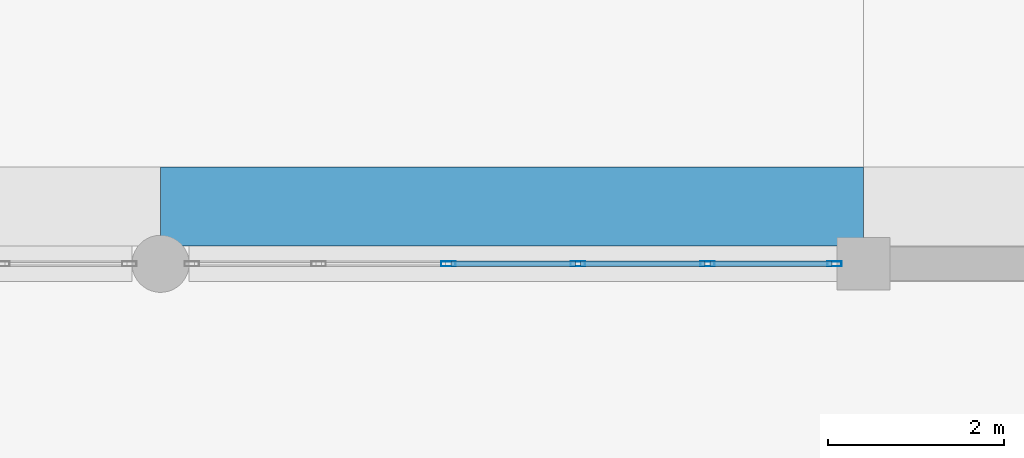
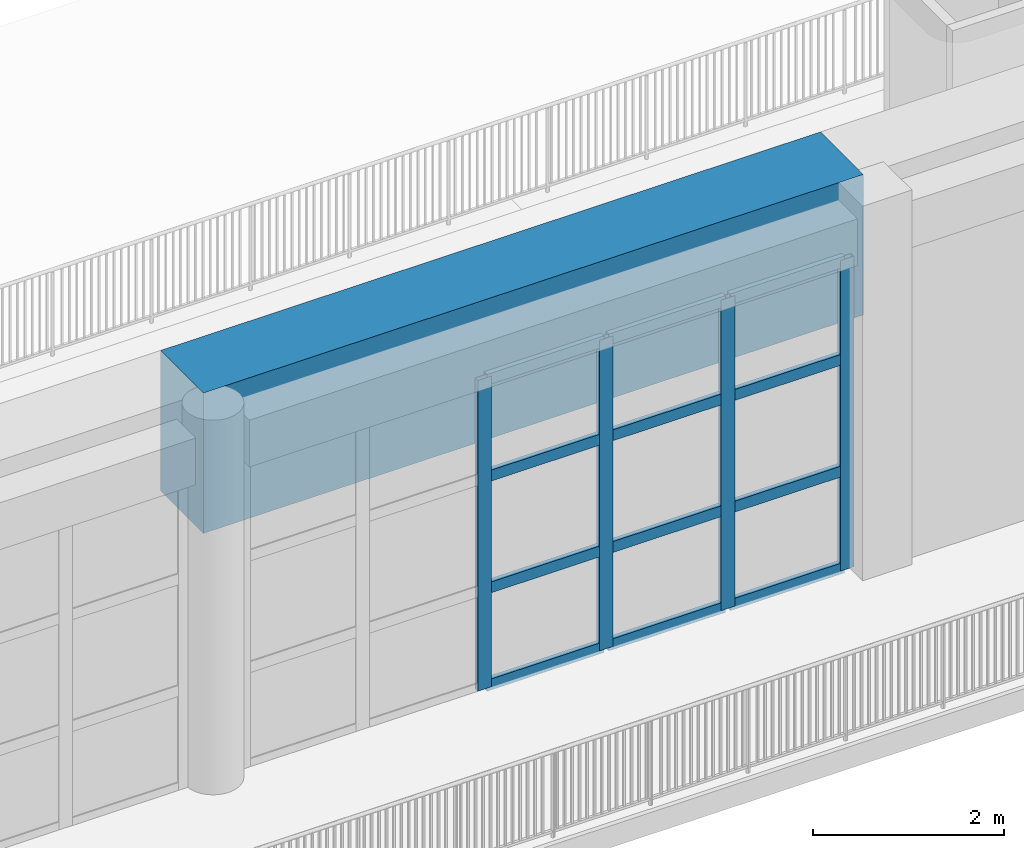
# One storey, part 6 of 32: 16 members, 1 beam, 1 element without a shape of its own.
"""IFC4 building model written with IfcOpenShell, lengths in metres."""

from ifc_helpers import new_model, si_unit, direction, frame, origin, origin_2d, place, context, subcontext, project, spatial, rectangle, hollow_rectangle, extrude, material, material_profile, profile_set, type_object, element, aggregate, save


model = new_model("IFC4")

# Units and contexts
model_context = context("Model", 3, precision=1e-05, world=origin(), true_north=direction((0.0, 1.0)))
body_context = subcontext(model_context, "Body", "Model", "MODEL_VIEW")
ifc_project = project(units=[si_unit("LENGTHUNIT", "METRE"), si_unit("AREAUNIT", "SQUARE_METRE"), si_unit("VOLUMEUNIT", "CUBIC_METRE"), si_unit("PLANEANGLEUNIT", "RADIAN"), si_unit("MASSUNIT", "GRAM", prefix="KILO")], contexts=[model_context])

# Site, building, storey
site_placement = place(None, origin())
site = spatial("IfcSite", under=ifc_project, at=site_placement, CompositionType="ELEMENT")
building_placement = place(site_placement, origin())
building = spatial("IfcBuilding", under=site, at=building_placement, Name="Zantavel Square City Hall", CompositionType="ELEMENT")
storey_placement = place(building_placement, frame((0.0, 0.0, 23.699951171875)))
storey = spatial("IfcBuildingStorey", under=building, at=storey_placement, Name="L06", CompositionType="ELEMENT", Elevation=23.699951171875)

# Curtain wall, members
ifc_material_1 = material(Name="Anodised aluminium 6063-T6", Category="aluminium")
curtain_wall_type = type_object("IfcCurtainWallType", Name="Curtain Wall TRV1 7375x3980", PredefinedType="USERDEFINED", material=ifc_material_1)
curtain_wall_placement = place(storey_placement, origin())
curtain_wall = element("IfcCurtainWall", 1, at=curtain_wall_placement, inside=storey, type_object=curtain_wall_type, Name="L06 Glazed Curtain Wall CW-L06-156", ObjectType="GLAZED CURTAIN WALL", PredefinedType="USERDEFINED")
ifc_material_profile_1 = material_profile(ifc_material_1, hollow_rectangle(XDim=0.06005859375, YDim=0.1650390625, WallThickness=0.00390625, at=origin_2d()), Name="ALU 60x165x4")
ifc_profile_set_1 = profile_set([ifc_material_profile_1], Name="Anodised aluminium 6063-T6")
member_type_1 = type_object("IfcMemberType", Name="CW Council Gallery Mullion ALU 60x165x4", PredefinedType="MULLION", material=ifc_profile_set_1)
member_1_placement = place(storey_placement, frame((79.669921875, 30.39990234375, 0.0), z_axis=(0.0, 0.0, 1.0), x_axis=(0.0, -1.0, 0.0)))
member_1 = element("IfcMember", 2, at=member_1_placement, type_object=member_type_1, Name="CW-156 mullion 1", PredefinedType="MULLION", context=body_context, shape_type="SweptSolid", body=[
    extrude(hollow_rectangle(XDim=0.06005859375, YDim=0.1650390625, WallThickness=0.00390625, at=origin_2d()), origin(), (0.0, 0.0, 1.0), 3.97998046875),
])
member_2_placement = place(storey_placement, frame((78.22509765625, 30.39990234375, 0.0), z_axis=(0.0, 0.0, 1.0), x_axis=(0.0, -1.0, 0.0)))
member_2 = element("IfcMember", 3, at=member_2_placement, type_object=member_type_1, Name="CW-156 mullion 2", PredefinedType="MULLION", context=body_context, shape_type="SweptSolid", body=[
    extrude(hollow_rectangle(XDim=0.06005859375, YDim=0.1650390625, WallThickness=0.00390625, at=origin_2d()), origin(), (0.0, 0.0, 1.0), 3.97998046875),
])
member_3_placement = place(storey_placement, frame((76.75, 30.39990234375, 0.0), z_axis=(0.0, 0.0, 1.0), x_axis=(0.0, -1.0, 0.0)))
member_3 = element("IfcMember", 4, at=member_3_placement, type_object=member_type_1, Name="CW-156 mullion 3", PredefinedType="MULLION", context=body_context, shape_type="SweptSolid", body=[
    extrude(hollow_rectangle(XDim=0.06005859375, YDim=0.1650390625, WallThickness=0.00390625, at=origin_2d()), origin(), (0.0, 0.0, 1.0), 3.97998046875),
])
member_4_placement = place(storey_placement, frame((75.27490234375, 30.39990234375, 0.0), z_axis=(0.0, 0.0, 1.0), x_axis=(0.0, -1.0, 0.0)))
member_4 = element("IfcMember", 5, at=member_4_placement, type_object=member_type_1, Name="CW-156 mullion 4", PredefinedType="MULLION", context=body_context, shape_type="SweptSolid", body=[
    extrude(hollow_rectangle(XDim=0.06005859375, YDim=0.1650390625, WallThickness=0.00390625, at=origin_2d()), origin(), (0.0, 0.0, 1.0), 3.97998046875),
])
ifc_material_profile_2 = material_profile(ifc_material_1, hollow_rectangle(XDim=0.06005859375, YDim=0.139892578125, WallThickness=0.00390625, at=origin_2d()), Name="ALU 60x140x4")
ifc_profile_set_2 = profile_set([ifc_material_profile_2], Name="Anodised aluminium 6063-T6")
member_type_2 = type_object("IfcMemberType", Name="CW Transom ALU 60x140x4", PredefinedType="USERDEFINED", material=ifc_profile_set_2)
member_5_placement = place(storey_placement, frame((79.639892578125, 30.39990234375, 0.030029296875), z_axis=(-1.0, 0.0, 0.0), x_axis=(0.0, -1.0, 0.0)))
member_5 = element("IfcMember", 6, at=member_5_placement, type_object=member_type_2, Name="CW-156 transom 1.1", ObjectType="TRANSOM", PredefinedType="USERDEFINED", context=body_context, shape_type="SweptSolid", body=[
    extrude(hollow_rectangle(XDim=0.06005859375, YDim=0.139892578125, WallThickness=0.00390625, at=origin_2d()), origin(), (0.0, 0.0, 1.0), 1.385009765625),
])
member_6_placement = place(storey_placement, frame((79.639892578125, 30.39990234375, 1.274169921875), z_axis=(-1.0, 0.0, 0.0), x_axis=(0.0, -1.0, 0.0)))
member_6 = element("IfcMember", 7, at=member_6_placement, type_object=member_type_2, Name="CW-156 transom 1.2", ObjectType="TRANSOM", PredefinedType="USERDEFINED", context=body_context, shape_type="SweptSolid", body=[
    extrude(hollow_rectangle(XDim=0.06005859375, YDim=0.139892578125, WallThickness=0.00390625, at=origin_2d()), origin(), (0.0, 0.0, 1.0), 1.385009765625),
])
member_7_placement = place(storey_placement, frame((79.639892578125, 30.39990234375, 2.7060546875), z_axis=(-1.0, 0.0, 0.0), x_axis=(0.0, -1.0, 0.0)))
member_7 = element("IfcMember", 8, at=member_7_placement, type_object=member_type_2, Name="CW-156 transom 1.3", ObjectType="TRANSOM", PredefinedType="USERDEFINED", context=body_context, shape_type="SweptSolid", body=[
    extrude(hollow_rectangle(XDim=0.06005859375, YDim=0.139892578125, WallThickness=0.00390625, at=origin_2d()), origin(), (0.0, 0.0, 1.0), 1.385009765625),
])
member_8_placement = place(storey_placement, frame((79.639892578125, 30.39990234375, 3.949951171875), z_axis=(-1.0, 0.0, 0.0), x_axis=(0.0, -1.0, 0.0)))
member_8 = element("IfcMember", 9, at=member_8_placement, type_object=member_type_2, Name="CW-156 transom 1.4", ObjectType="TRANSOM", PredefinedType="USERDEFINED", context=body_context, shape_type="SweptSolid", body=[
    extrude(hollow_rectangle(XDim=0.06005859375, YDim=0.139892578125, WallThickness=0.00390625, at=origin_2d()), origin(), (0.0, 0.0, 1.0), 1.385009765625),
])
member_9_placement = place(storey_placement, frame((78.195068359375, 30.39990234375, 0.030029296875), z_axis=(-1.0, 0.0, 0.0), x_axis=(0.0, -1.0, 0.0)))
member_9 = element("IfcMember", 10, at=member_9_placement, type_object=member_type_2, Name="CW-156 transom 2.1", ObjectType="TRANSOM", PredefinedType="USERDEFINED", context=body_context, shape_type="SweptSolid", body=[
    extrude(hollow_rectangle(XDim=0.06005859375, YDim=0.139892578125, WallThickness=0.00390625, at=origin_2d()), origin(), (0.0, 0.0, 1.0), 1.4150390625),
])
member_10_placement = place(storey_placement, frame((78.195068359375, 30.39990234375, 1.274169921875), z_axis=(-1.0, 0.0, 0.0), x_axis=(0.0, -1.0, 0.0)))
member_10 = element("IfcMember", 11, at=member_10_placement, type_object=member_type_2, Name="CW-156 transom 2.2", ObjectType="TRANSOM", PredefinedType="USERDEFINED", context=body_context, shape_type="SweptSolid", body=[
    extrude(hollow_rectangle(XDim=0.06005859375, YDim=0.139892578125, WallThickness=0.00390625, at=origin_2d()), origin(), (0.0, 0.0, 1.0), 1.4150390625),
])
member_11_placement = place(storey_placement, frame((78.195068359375, 30.39990234375, 2.7060546875), z_axis=(-1.0, 0.0, 0.0), x_axis=(0.0, -1.0, 0.0)))
member_11 = element("IfcMember", 12, at=member_11_placement, type_object=member_type_2, Name="CW-156 transom 2.3", ObjectType="TRANSOM", PredefinedType="USERDEFINED", context=body_context, shape_type="SweptSolid", body=[
    extrude(hollow_rectangle(XDim=0.06005859375, YDim=0.139892578125, WallThickness=0.00390625, at=origin_2d()), origin(), (0.0, 0.0, 1.0), 1.4150390625),
])
member_12_placement = place(storey_placement, frame((78.195068359375, 30.39990234375, 3.949951171875), z_axis=(-1.0, 0.0, 0.0), x_axis=(0.0, -1.0, 0.0)))
member_12 = element("IfcMember", 13, at=member_12_placement, type_object=member_type_2, Name="CW-156 transom 2.4", ObjectType="TRANSOM", PredefinedType="USERDEFINED", context=body_context, shape_type="SweptSolid", body=[
    extrude(hollow_rectangle(XDim=0.06005859375, YDim=0.139892578125, WallThickness=0.00390625, at=origin_2d()), origin(), (0.0, 0.0, 1.0), 1.4150390625),
])
member_13_placement = place(storey_placement, frame((76.719970703125, 30.39990234375, 0.030029296875), z_axis=(-1.0, 0.0, 0.0), x_axis=(0.0, -1.0, 0.0)))
member_13 = element("IfcMember", 14, at=member_13_placement, type_object=member_type_2, Name="CW-156 transom 3.1", ObjectType="TRANSOM", PredefinedType="USERDEFINED", context=body_context, shape_type="SweptSolid", body=[
    extrude(hollow_rectangle(XDim=0.06005859375, YDim=0.139892578125, WallThickness=0.00390625, at=origin_2d()), origin(), (0.0, 0.0, 1.0), 1.4150390625),
])
member_14_placement = place(storey_placement, frame((76.719970703125, 30.39990234375, 1.274169921875), z_axis=(-1.0, 0.0, 0.0), x_axis=(0.0, -1.0, 0.0)))
member_14 = element("IfcMember", 15, at=member_14_placement, type_object=member_type_2, Name="CW-156 transom 3.2", ObjectType="TRANSOM", PredefinedType="USERDEFINED", context=body_context, shape_type="SweptSolid", body=[
    extrude(hollow_rectangle(XDim=0.06005859375, YDim=0.139892578125, WallThickness=0.00390625, at=origin_2d()), origin(), (0.0, 0.0, 1.0), 1.4150390625),
])
member_15_placement = place(storey_placement, frame((76.719970703125, 30.39990234375, 2.7060546875), z_axis=(-1.0, 0.0, 0.0), x_axis=(0.0, -1.0, 0.0)))
member_15 = element("IfcMember", 16, at=member_15_placement, type_object=member_type_2, Name="CW-156 transom 3.3", ObjectType="TRANSOM", PredefinedType="USERDEFINED", context=body_context, shape_type="SweptSolid", body=[
    extrude(hollow_rectangle(XDim=0.06005859375, YDim=0.139892578125, WallThickness=0.00390625, at=origin_2d()), origin(), (0.0, 0.0, 1.0), 1.4150390625),
])
member_16_placement = place(storey_placement, frame((76.719970703125, 30.39990234375, 3.949951171875), z_axis=(-1.0, 0.0, 0.0), x_axis=(0.0, -1.0, 0.0)))
member_16 = element("IfcMember", 17, at=member_16_placement, type_object=member_type_2, Name="CW-156 transom 3.4", ObjectType="TRANSOM", PredefinedType="USERDEFINED", context=body_context, shape_type="SweptSolid", body=[
    extrude(hollow_rectangle(XDim=0.06005859375, YDim=0.139892578125, WallThickness=0.00390625, at=origin_2d()), origin(), (0.0, 0.0, 1.0), 1.4150390625),
])
aggregate(curtain_wall, [member_1, member_2, member_3, member_4, member_5, member_6, member_7, member_8, member_9, member_10, member_11, member_12, member_13, member_14, member_15, member_16])

# Beam
ifc_material_2 = material(Name="Concrete C40/50", Category="concrete")
ifc_material_profile_3 = material_profile(ifc_material_2, rectangle(XDim=0.89990234375, YDim=1.800048828125, at=origin_2d()), Name="RC 900x1800")
ifc_profile_set_3 = profile_set([ifc_material_profile_3], Name="Concrete C40/50")
beam_type = type_object("IfcBeamType", Name="Transfer Girder RC 900x1800 C40/50", PredefinedType="BEAM", material=ifc_profile_set_3)
beam_placement = place(storey_placement, frame((72.0, 31.050048828125, 3.900146484375), z_axis=(1.0, 0.0, 0.0), x_axis=(0.0, 1.0, 0.0)))
element("IfcBeam", 18, at=beam_placement, inside=storey, type_object=beam_type, Name="Vault Thrust Transfer Girder S-2", PredefinedType="BEAM", context=body_context, shape_type="SweptSolid", body=[
    extrude(rectangle(XDim=0.89990234375, YDim=1.800048828125, at=origin_2d()), origin(), (0.0, 0.0, 1.0), 8.0),
])

save(model, "model.ifc")
